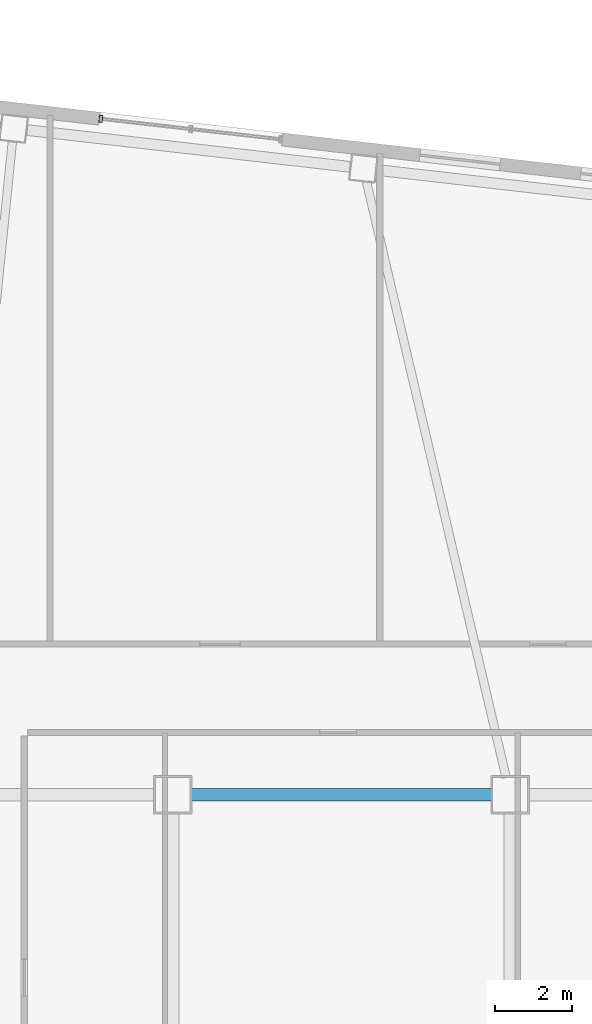
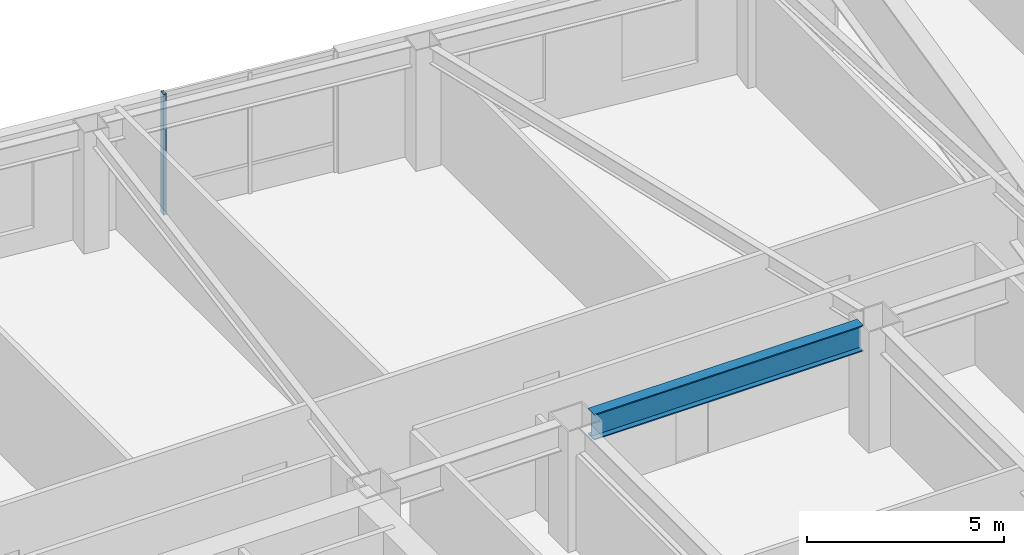
# One storey, part 8 of 22: 1 beam, 1 member, 1 element without a shape of its own.
"""IFC4 building model written with IfcOpenShell, lengths in metres."""

from ifc_helpers import new_model, si_unit, direction, frame, origin, origin_2d, place, context, subcontext, project, spatial, hollow_rectangle, i_section, extrude, material, layer, layer_set, material_profile, profile_set, type_object, element, aggregate, save


model = new_model("IFC4")

# Units and contexts
model_context = context("Model", 3, precision=1e-05, world=origin(), true_north=direction((0.0, 1.0)))
body_context = subcontext(model_context, "Body", "Model", "MODEL_VIEW")
ifc_project = project(units=[si_unit("LENGTHUNIT", "METRE"), si_unit("AREAUNIT", "SQUARE_METRE"), si_unit("VOLUMEUNIT", "CUBIC_METRE"), si_unit("PLANEANGLEUNIT", "RADIAN"), si_unit("MASSUNIT", "GRAM", prefix="KILO")], contexts=[model_context])

# Site, building, storey
site_placement = place(None, origin())
site = spatial("IfcSite", under=ifc_project, at=site_placement, CompositionType="ELEMENT")
building_placement = place(site_placement, origin())
building = spatial("IfcBuilding", under=site, at=building_placement, Name="Tavrogorsk Clinical Tower", CompositionType="ELEMENT")
storey_placement = place(building_placement, frame((0.0, 0.0, 117.39990234375)))
storey = spatial("IfcBuildingStorey", under=building, at=storey_placement, Name="L26", CompositionType="ELEMENT", Elevation=117.39990234375)

# Curtain wall, member
ifc_material_1 = material(Name="Anodised aluminium and triple IGU glazing", Category="aluminium")
ifc_layer = layer(ifc_material_1, 0.179931640625)
ifc_layer_set = layer_set([ifc_layer], Name="Anodised aluminium and triple IGU glazing")
curtain_wall_type = type_object("IfcCurtainWallType", Name="CW2_NorthSlot", PredefinedType="NOTDEFINED", material=ifc_layer_set)
curtain_wall_placement = place(storey_placement, origin())
curtain_wall = element("IfcCurtainWall", 1, at=curtain_wall_placement, inside=storey, type_object=curtain_wall_type, Name="L26 Curtain Wall CW-L26-N-SLOT-1", PredefinedType="NOTDEFINED")
ifc_material_2 = material(Name="Anodised aluminium alloy AW-6060", Category="aluminium")
ifc_material_profile_1 = material_profile(ifc_material_2, hollow_rectangle(XDim=0.090087890625, YDim=0.179931640625, WallThickness=0.00634765625, at=origin_2d()), Name="RHS-180x90x6.3")
ifc_profile_set_1 = profile_set([ifc_material_profile_1], Name="Anodised aluminium alloy AW-6060")
member_type = type_object("IfcMemberType", Name="CwMullion_180x90", PredefinedType="MULLION", material=ifc_profile_set_1)
member_placement = place(storey_placement, frame((-6.273681640625, 23.9775390625, 0.0), z_axis=(0.0, 0.0, 1.0), x_axis=(-0.993571858269, 0.113203191016, 0.0)))
member = element("IfcMember", 2, at=member_placement, type_object=member_type, Name="CW-L26-N-SLOT-1 Mullion 3", PredefinedType="MULLION", context=body_context, shape_type="SweptSolid", body=[
    extrude(hollow_rectangle(XDim=0.090087890625, YDim=0.179931640625, WallThickness=0.00634765625, at=origin_2d()), origin(), (0.0, 0.0, 1.0), 3.739990234375),
])
aggregate(curtain_wall, [member])

# Beam
ifc_material_3 = material(Name="Structural steel S390", Category="steel")
ifc_material_profile_2 = material_profile(ifc_material_3, i_section(OverallWidth=0.320068359375, OverallDepth=0.800048828125, WebThickness=0.02001953125, FlangeThickness=0.033935546875, at=origin_2d()), Name="B-800x320x20x34")
ifc_profile_set_2 = profile_set([ifc_material_profile_2], Name="Structural steel S390")
beam_type = type_object("IfcBeamType", Name="PrimaryGirder_B800", PredefinedType="USERDEFINED", material=ifc_profile_set_2)
beam_placement = place(storey_placement, frame((-3.93994140625, 6.35009765625, 3.340087890625), z_axis=(1.0, 0.0, 0.0), x_axis=(0.0, 1.0, 0.0)))
element("IfcBeam", 3, at=beam_placement, inside=storey, type_object=beam_type, Name="L26 Primary Spine Girder MG-04", ObjectType="GIRDER", PredefinedType="USERDEFINED", context=body_context, shape_type="SweptSolid", body=[
    extrude(i_section(OverallWidth=0.320068359375, OverallDepth=0.800048828125, WebThickness=0.02001953125, FlangeThickness=0.033935546875, at=origin_2d()), origin(), (0.0, 0.0, 1.0), 7.8798828125),
])

save(model, "model.ifc")
